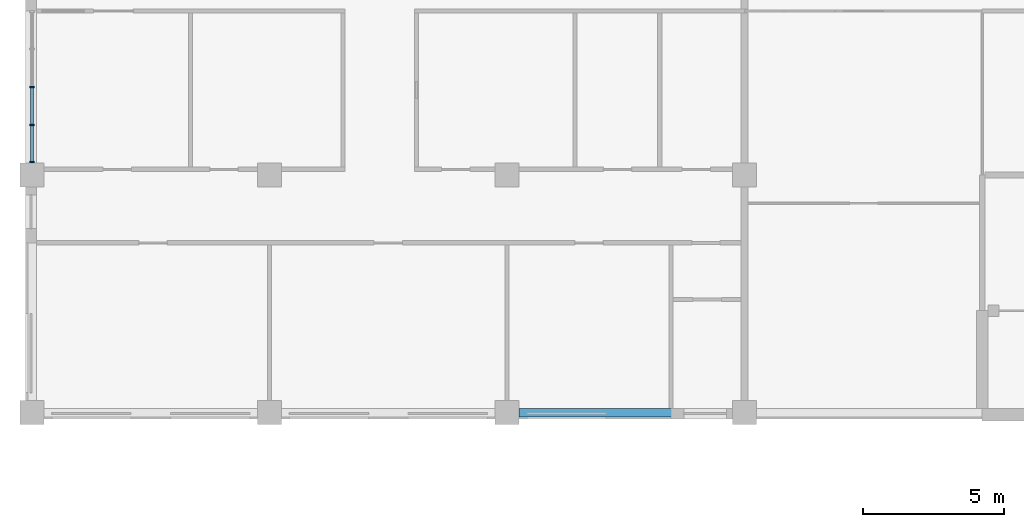
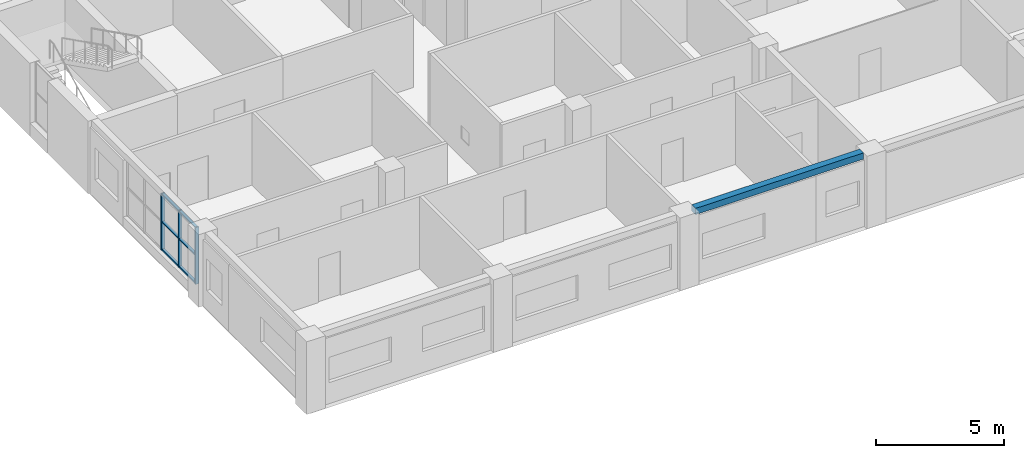
# One storey, part 13 of 94: 9 members, 1 beam, 1 element without a shape of its own.
"""IFC4 building model written with IfcOpenShell, lengths in metres."""

from ifc_helpers import new_model, si_unit, direction, frame, origin, origin_2d, place, context, subcontext, project, spatial, rectangle, extrude, material, material_profile, profile_set, type_object, element, aggregate, save


model = new_model("IFC4")

# Units and contexts
model_context = context("Model", 3, precision=1e-05, world=origin(), true_north=direction((0.0, 1.0)))
body_context = subcontext(model_context, "Body", "Model", "MODEL_VIEW")
ifc_project = project(units=[si_unit("LENGTHUNIT", "METRE"), si_unit("AREAUNIT", "SQUARE_METRE"), si_unit("VOLUMEUNIT", "CUBIC_METRE"), si_unit("PLANEANGLEUNIT", "RADIAN"), si_unit("MASSUNIT", "GRAM", prefix="KILO")], contexts=[model_context])

# Site, building, storey
site_placement = place(None, origin())
site = spatial("IfcSite", under=ifc_project, at=site_placement, CompositionType="ELEMENT")
building_placement = place(site_placement, origin())
building = spatial("IfcBuilding", under=site, at=building_placement, Name="Yavir Park General Hospital", CompositionType="ELEMENT")
storey_placement = place(building_placement, frame((0.0, 0.0, 4.5)))
storey = spatial("IfcBuildingStorey", under=building, at=storey_placement, Name="L01", CompositionType="ELEMENT", Elevation=4.5)

# Beam
ifc_material_1 = material(Name="Concrete C35/45", Category="concrete")
ifc_material_profile_1 = material_profile(ifc_material_1, rectangle(XDim=0.300048828125, YDim=0.300048828125, at=origin_2d()), Name="RC300x300")
ifc_profile_set_1 = profile_set([ifc_material_profile_1], Name="Concrete C35/45")
beam_type = type_object("IfcBeamType", Name="RC BEAM 300x300 edge beam", PredefinedType="BEAM", material=ifc_profile_set_1)
beam_placement = place(storey_placement, frame((17.22509765625, 0.0, 3.300048828125), z_axis=(1.0, 0.0, 0.0), x_axis=(0.0, 1.0, 0.0)))
element("IfcBeam", 1, at=beam_placement, inside=storey, type_object=beam_type, Name="B:EDGE:L01:003", PredefinedType="BEAM", context=body_context, shape_type="SweptSolid", body=[
    extrude(rectangle(XDim=0.300048828125, YDim=0.300048828125, at=origin_2d()), origin(), (0.0, 0.0, 1.0), 7.5498046875),
])

# Curtain wall, members
ifc_material_2 = material(Name="Aluminium curtain wall frame with insulated glazing", Category="aluminium")
curtain_wall_type = type_object("IfcCurtainWallType", Name="Waiting area glazing, 2700 high, 1400 module", PredefinedType="NOTDEFINED", material=ifc_material_2)
curtain_wall_placement = place(storey_placement, origin())
curtain_wall = element("IfcCurtainWall", 2, at=curtain_wall_placement, inside=storey, type_object=curtain_wall_type, Name="CW16 L01-015", PredefinedType="NOTDEFINED")
ifc_material_3 = material(Name="Aluminium", Category="aluminium")
ifc_material_profile_2 = material_profile(ifc_material_3, rectangle(XDim=0.159912109375, YDim=0.06005859375, at=origin_2d()), Name="AL 60x160")
ifc_profile_set_2 = profile_set([ifc_material_profile_2], Name="Aluminium")
member_type_1 = type_object("IfcMemberType", Name="Waiting area glazing, 2700 high mullion 60 x 160", PredefinedType="MULLION", material=ifc_profile_set_2)
member_1_placement = place(storey_placement, frame((0.0, 8.85498046875, 0.449951171875), z_axis=(0.0, 0.0, 1.0), x_axis=(-1.0, 0.0, 0.0)))
member_1 = element("IfcMember", 3, at=member_1_placement, type_object=member_type_1, Name="CW16 mullion 1", PredefinedType="MULLION", context=body_context, shape_type="SweptSolid", body=[
    extrude(rectangle(XDim=0.159912109375, YDim=0.06005859375, at=origin_2d()), origin(), (0.0, 0.0, 1.0), 2.699951171875),
])
member_2_placement = place(storey_placement, frame((0.0, 10.168701171875, 0.449951171875), z_axis=(0.0, 0.0, 1.0), x_axis=(-1.0, 0.0, 0.0)))
member_2 = element("IfcMember", 4, at=member_2_placement, type_object=member_type_1, Name="CW16 mullion 2", PredefinedType="MULLION", context=body_context, shape_type="SweptSolid", body=[
    extrude(rectangle(XDim=0.159912109375, YDim=0.06005859375, at=origin_2d()), origin(), (0.0, 0.0, 1.0), 2.699951171875),
])
member_3_placement = place(storey_placement, frame((0.0, 11.512451171875, 0.449951171875), z_axis=(0.0, 0.0, 1.0), x_axis=(-1.0, 0.0, 0.0)))
member_3 = element("IfcMember", 5, at=member_3_placement, type_object=member_type_1, Name="CW16 mullion 3", PredefinedType="MULLION", context=body_context, shape_type="SweptSolid", body=[
    extrude(rectangle(XDim=0.159912109375, YDim=0.06005859375, at=origin_2d()), origin(), (0.0, 0.0, 1.0), 2.699951171875),
])
ifc_material_4 = material(Name="Aluminium", Category="aluminium")
ifc_material_profile_3 = material_profile(ifc_material_4, rectangle(XDim=0.1201171875, YDim=0.06005859375, at=origin_2d()), Name="AL 120x60")
ifc_profile_set_3 = profile_set([ifc_material_profile_3], Name="Aluminium")
member_type_2 = type_object("IfcMemberType", Name="Waiting area glazing, 2700 high transom 60 x 120", PredefinedType="MULLION", material=ifc_profile_set_3)
member_4_placement = place(storey_placement, frame((0.0, 8.885009765625, 0.47998046875), z_axis=(0.0, 1.0, 0.0), x_axis=(-1.0, 0.0, 0.0)))
member_4 = element("IfcMember", 6, at=member_4_placement, type_object=member_type_2, Name="CW16 transom 1.1", PredefinedType="MULLION", context=body_context, shape_type="SweptSolid", body=[
    extrude(rectangle(XDim=0.1201171875, YDim=0.06005859375, at=origin_2d()), origin(), (0.0, 0.0, 1.0), 1.253662109375),
])
member_5_placement = place(storey_placement, frame((0.0, 8.885009765625, 1.800048828125), z_axis=(0.0, 1.0, 0.0), x_axis=(-1.0, 0.0, 0.0)))
member_5 = element("IfcMember", 7, at=member_5_placement, type_object=member_type_2, Name="CW16 transom 1.2", PredefinedType="MULLION", context=body_context, shape_type="SweptSolid", body=[
    extrude(rectangle(XDim=0.1201171875, YDim=0.06005859375, at=origin_2d()), origin(), (0.0, 0.0, 1.0), 1.253662109375),
])
member_6_placement = place(storey_placement, frame((0.0, 8.885009765625, 3.1201171875), z_axis=(0.0, 1.0, 0.0), x_axis=(-1.0, 0.0, 0.0)))
member_6 = element("IfcMember", 8, at=member_6_placement, type_object=member_type_2, Name="CW16 transom 1.3", PredefinedType="MULLION", context=body_context, shape_type="SweptSolid", body=[
    extrude(rectangle(XDim=0.1201171875, YDim=0.06005859375, at=origin_2d()), origin(), (0.0, 0.0, 1.0), 1.253662109375),
])
member_7_placement = place(storey_placement, frame((0.0, 10.19873046875, 0.47998046875), z_axis=(0.0, 1.0, 0.0), x_axis=(-1.0, 0.0, 0.0)))
member_7 = element("IfcMember", 9, at=member_7_placement, type_object=member_type_2, Name="CW16 transom 2.1", PredefinedType="MULLION", context=body_context, shape_type="SweptSolid", body=[
    extrude(rectangle(XDim=0.1201171875, YDim=0.06005859375, at=origin_2d()), origin(), (0.0, 0.0, 1.0), 1.28369140625),
])
member_8_placement = place(storey_placement, frame((0.0, 10.19873046875, 1.800048828125), z_axis=(0.0, 1.0, 0.0), x_axis=(-1.0, 0.0, 0.0)))
member_8 = element("IfcMember", 10, at=member_8_placement, type_object=member_type_2, Name="CW16 transom 2.2", PredefinedType="MULLION", context=body_context, shape_type="SweptSolid", body=[
    extrude(rectangle(XDim=0.1201171875, YDim=0.06005859375, at=origin_2d()), origin(), (0.0, 0.0, 1.0), 1.28369140625),
])
member_9_placement = place(storey_placement, frame((0.0, 10.19873046875, 3.1201171875), z_axis=(0.0, 1.0, 0.0), x_axis=(-1.0, 0.0, 0.0)))
member_9 = element("IfcMember", 11, at=member_9_placement, type_object=member_type_2, Name="CW16 transom 2.3", PredefinedType="MULLION", context=body_context, shape_type="SweptSolid", body=[
    extrude(rectangle(XDim=0.1201171875, YDim=0.06005859375, at=origin_2d()), origin(), (0.0, 0.0, 1.0), 1.28369140625),
])
aggregate(curtain_wall, [member_1, member_2, member_3, member_4, member_5, member_6, member_7, member_8, member_9])

save(model, "model.ifc")
